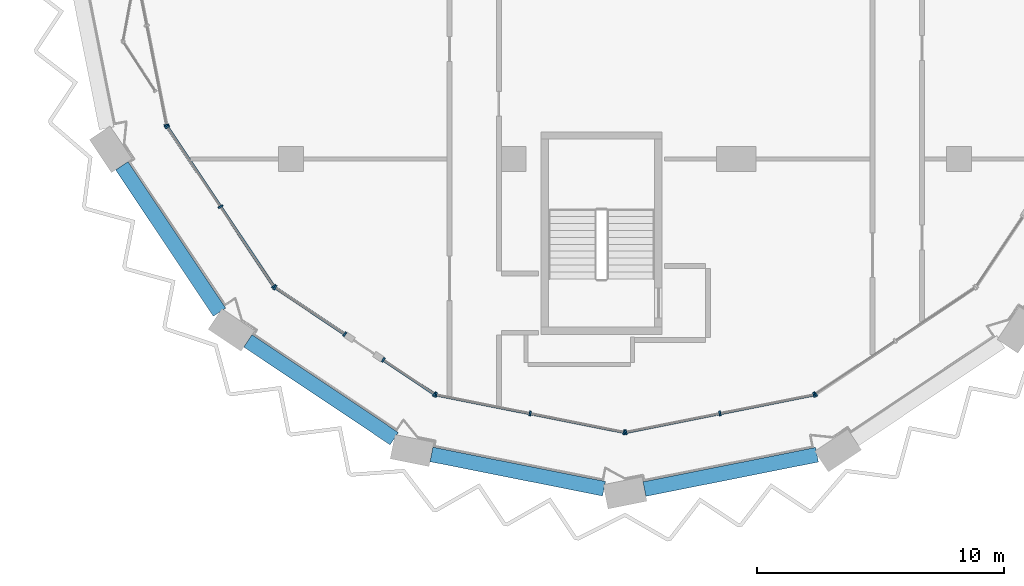
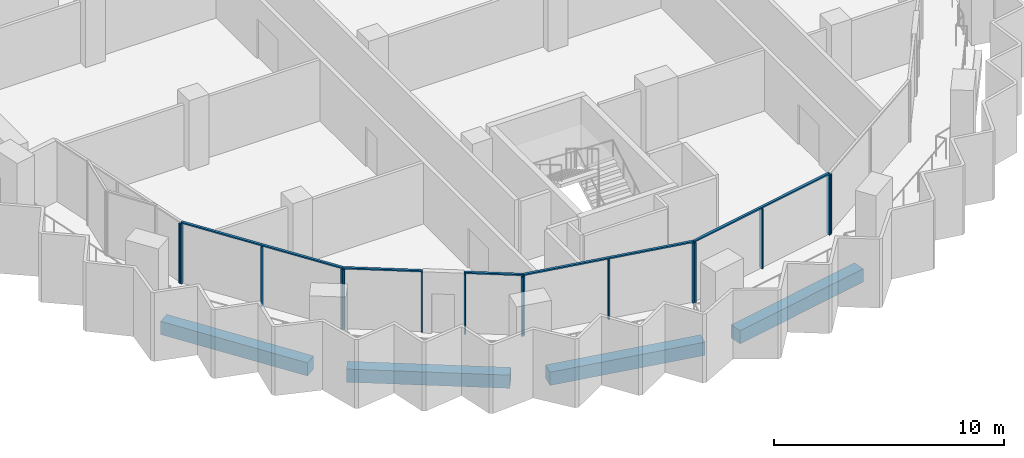
# One storey, part 2 of 17: 20 members, 4 beams, 7 elements without a shape of their own.
"""IFC4 building model written with IfcOpenShell, lengths in metres."""

from ifc_helpers import new_model, si_unit, direction, frame, origin, origin_2d, place, context, subcontext, project, spatial, rectangle, extrude, material, material_profile, profile_set, type_object, element, aggregate, save


model = new_model("IFC4")

# Units and contexts
model_context = context("Model", 3, precision=1e-05, world=origin(), true_north=direction((0.0, 1.0)))
body_context = subcontext(model_context, "Body", "Model", "MODEL_VIEW")
ifc_project = project(units=[si_unit("LENGTHUNIT", "METRE"), si_unit("AREAUNIT", "SQUARE_METRE"), si_unit("VOLUMEUNIT", "CUBIC_METRE"), si_unit("PLANEANGLEUNIT", "RADIAN"), si_unit("MASSUNIT", "GRAM", prefix="KILO")], contexts=[model_context])

# Site, building, storey
site_placement = place(None, origin())
site = spatial("IfcSite", under=ifc_project, at=site_placement, CompositionType="ELEMENT")
building_placement = place(site_placement, origin())
building = spatial("IfcBuilding", under=site, at=building_placement, Name="Hunhe Ridgeline Campus", CompositionType="ELEMENT")
storey_placement = place(building_placement, frame((0.0, 0.0, 272.5)))
storey = spatial("IfcBuildingStorey", under=building, at=storey_placement, Name="L70", CompositionType="ELEMENT", Elevation=272.5)

# Curtain wall, member
ifc_material_1 = material(Name="Aluminium 6063", Category="aluminium")
curtain_wall_type = type_object("IfcCurtainWallType", Name="Curtain wall CW-5", PredefinedType="NOTDEFINED", material=ifc_material_1)
curtain_wall_1_placement = place(storey_placement, origin())
curtain_wall_1 = element("IfcCurtainWall", 1, at=curtain_wall_1_placement, inside=storey, type_object=curtain_wall_type, Name="Curtain wall 01", PredefinedType="NOTDEFINED")
ifc_material_profile_1 = material_profile(ifc_material_1, rectangle(XDim=0.199951171875, YDim=0.070068359375, at=origin_2d()))
ifc_profile_set_1 = profile_set([ifc_material_profile_1], Name="Aluminium 6063")
member_type_1 = type_object("IfcMemberType", Name="CW-5 aluminium mullion", PredefinedType="MULLION", material=ifc_profile_set_1)
member_1_placement = place(storey_placement, frame((3.967529296875, 37.36083984375, 0.0), z_axis=(0.0, 0.0, 1.0), x_axis=(0.980784280831, 0.195095347137, 0.0)))
member_1 = element("IfcMember", 2, at=member_1_placement, type_object=member_type_1, Name="CW-5 mullion 3", PredefinedType="MULLION", context=body_context, shape_type="SweptSolid", body=[
    extrude(rectangle(XDim=0.199951171875, YDim=0.070068359375, at=origin_2d()), origin(), (0.0, 0.0, 1.0), 3.179931640625),
])
aggregate(curtain_wall_1, [member_1])

# Curtain wall, members
curtain_wall_2_placement = place(storey_placement, origin())
curtain_wall_2 = element("IfcCurtainWall", 3, at=curtain_wall_2_placement, inside=storey, type_object=curtain_wall_type, Name="Curtain wall 02", PredefinedType="NOTDEFINED")
member_2_placement = place(storey_placement, frame((3.993896484375, 37.29736328125, 0.0), z_axis=(0.0, 0.0, 1.0), x_axis=(0.831469584522, 0.555570274596, 0.0)))
member_2 = element("IfcMember", 4, at=member_2_placement, type_object=member_type_1, Name="CW-5 mullion 1", PredefinedType="MULLION", context=body_context, shape_type="SweptSolid", body=[
    extrude(rectangle(XDim=0.199951171875, YDim=0.070068359375, at=origin_2d()), origin(), (0.0, 0.0, 1.0), 3.179931640625),
])
member_3_placement = place(storey_placement, frame((6.147705078125, 34.07373046875, 0.0), z_axis=(0.0, 0.0, 1.0), x_axis=(0.831469584522, 0.555570274596, 0.0)))
member_3 = element("IfcMember", 5, at=member_3_placement, type_object=member_type_1, Name="CW-5 mullion 2", PredefinedType="MULLION", context=body_context, shape_type="SweptSolid", body=[
    extrude(rectangle(XDim=0.199951171875, YDim=0.070068359375, at=origin_2d()), origin(), (0.0, 0.0, 1.0), 3.179931640625),
])
member_4_placement = place(storey_placement, frame((8.3017578125, 30.850341796875, 0.0), z_axis=(0.0, 0.0, 1.0), x_axis=(0.831469584522, 0.555570274596, 0.0)))
member_4 = element("IfcMember", 6, at=member_4_placement, type_object=member_type_1, Name="CW-5 mullion 3", PredefinedType="MULLION", context=body_context, shape_type="SweptSolid", body=[
    extrude(rectangle(XDim=0.199951171875, YDim=0.070068359375, at=origin_2d()), origin(), (0.0, 0.0, 1.0), 3.179931640625),
])

curtain_wall_3_placement = place(storey_placement, origin())
curtain_wall_3 = element("IfcCurtainWall", 7, at=curtain_wall_3_placement, inside=storey, type_object=curtain_wall_type, Name="Curtain wall 03", PredefinedType="NOTDEFINED")
member_5_placement = place(storey_placement, frame((8.350341796875, 30.8017578125, 0.0), z_axis=(0.0, 0.0, 1.0), x_axis=(0.555570257501, 0.831469595944, 0.0)))
member_5 = element("IfcMember", 8, at=member_5_placement, type_object=member_type_1, Name="CW-5 mullion 1", PredefinedType="MULLION", context=body_context, shape_type="SweptSolid", body=[
    extrude(rectangle(XDim=0.199951171875, YDim=0.070068359375, at=origin_2d()), origin(), (0.0, 0.0, 1.0), 3.179931640625),
])
member_6_placement = place(storey_placement, frame((11.17041015625, 28.917236328125, 0.0), z_axis=(0.0, 0.0, 1.0), x_axis=(0.555570257501, 0.831469595944, 0.0)))
member_6 = element("IfcMember", 9, at=member_6_placement, type_object=member_type_1, Name="CW-5 mullion 2", PredefinedType="MULLION", context=body_context, shape_type="SweptSolid", body=[
    extrude(rectangle(XDim=0.199951171875, YDim=0.070068359375, at=origin_2d()), origin(), (0.0, 0.0, 1.0), 3.179931640625),
])

curtain_wall_4_placement = place(storey_placement, origin())
curtain_wall_4 = element("IfcCurtainWall", 10, at=curtain_wall_4_placement, inside=storey, type_object=curtain_wall_type, Name="Curtain wall 04", PredefinedType="NOTDEFINED")
member_7_placement = place(storey_placement, frame((12.725341796875, 27.87841796875, 0.0), z_axis=(0.0, 0.0, 1.0), x_axis=(0.555570385598, 0.831469510353, 0.0)))
member_7 = element("IfcMember", 11, at=member_7_placement, type_object=member_type_1, Name="CW-5 mullion 1", PredefinedType="MULLION", context=body_context, shape_type="SweptSolid", body=[
    extrude(rectangle(XDim=0.199951171875, YDim=0.070068359375, at=origin_2d()), origin(), (0.0, 0.0, 1.0), 3.179931640625),
])
member_8_placement = place(storey_placement, frame((14.79736328125, 26.493896484375, 0.0), z_axis=(0.0, 0.0, 1.0), x_axis=(0.555570385598, 0.831469510353, 0.0)))
member_8 = element("IfcMember", 12, at=member_8_placement, type_object=member_type_1, Name="CW-5 mullion 2", PredefinedType="MULLION", context=body_context, shape_type="SweptSolid", body=[
    extrude(rectangle(XDim=0.199951171875, YDim=0.070068359375, at=origin_2d()), origin(), (0.0, 0.0, 1.0), 3.179931640625),
])

curtain_wall_5_placement = place(storey_placement, origin())
curtain_wall_5 = element("IfcCurtainWall", 13, at=curtain_wall_5_placement, inside=storey, type_object=curtain_wall_type, Name="Curtain wall 05", PredefinedType="NOTDEFINED")
member_9_placement = place(storey_placement, frame((14.86083984375, 26.467529296875, 0.0), z_axis=(0.0, 0.0, 1.0), x_axis=(0.195090347539, 0.980785275326, 0.0)))
member_9 = element("IfcMember", 14, at=member_9_placement, type_object=member_type_1, Name="CW-5 mullion 1", PredefinedType="MULLION", context=body_context, shape_type="SweptSolid", body=[
    extrude(rectangle(XDim=0.199951171875, YDim=0.070068359375, at=origin_2d()), origin(), (0.0, 0.0, 1.0), 3.179931640625),
])
member_10_placement = place(storey_placement, frame((18.663330078125, 25.711181640625, 0.0), z_axis=(0.0, 0.0, 1.0), x_axis=(0.195090347539, 0.980785275326, 0.0)))
member_10 = element("IfcMember", 15, at=member_10_placement, type_object=member_type_1, Name="CW-5 mullion 2", PredefinedType="MULLION", context=body_context, shape_type="SweptSolid", body=[
    extrude(rectangle(XDim=0.199951171875, YDim=0.070068359375, at=origin_2d()), origin(), (0.0, 0.0, 1.0), 3.179931640625),
])
member_11_placement = place(storey_placement, frame((22.465576171875, 24.954833984375, 0.0), z_axis=(0.0, 0.0, 1.0), x_axis=(0.195090347539, 0.980785275326, 0.0)))
member_11 = element("IfcMember", 16, at=member_11_placement, type_object=member_type_1, Name="CW-5 mullion 3", PredefinedType="MULLION", context=body_context, shape_type="SweptSolid", body=[
    extrude(rectangle(XDim=0.199951171875, YDim=0.070068359375, at=origin_2d()), origin(), (0.0, 0.0, 1.0), 3.179931640625),
])

curtain_wall_6_placement = place(storey_placement, origin())
curtain_wall_6 = element("IfcCurtainWall", 17, at=curtain_wall_6_placement, inside=storey, type_object=curtain_wall_type, Name="Curtain wall 06", PredefinedType="NOTDEFINED")
member_12_placement = place(storey_placement, frame((22.534423828125, 24.954833984375, 0.0), z_axis=(0.0, 0.0, 1.0), x_axis=(-0.195090347539, 0.980785275326, 0.0)))
member_12 = element("IfcMember", 18, at=member_12_placement, type_object=member_type_1, Name="CW-5 mullion 1", PredefinedType="MULLION", context=body_context, shape_type="SweptSolid", body=[
    extrude(rectangle(XDim=0.199951171875, YDim=0.070068359375, at=origin_2d()), origin(), (0.0, 0.0, 1.0), 3.179931640625),
])
member_13_placement = place(storey_placement, frame((26.336669921875, 25.711181640625, 0.0), z_axis=(0.0, 0.0, 1.0), x_axis=(-0.195090347539, 0.980785275326, 0.0)))
member_13 = element("IfcMember", 19, at=member_13_placement, type_object=member_type_1, Name="CW-5 mullion 2", PredefinedType="MULLION", context=body_context, shape_type="SweptSolid", body=[
    extrude(rectangle(XDim=0.199951171875, YDim=0.070068359375, at=origin_2d()), origin(), (0.0, 0.0, 1.0), 3.179931640625),
])
member_14_placement = place(storey_placement, frame((30.13916015625, 26.467529296875, 0.0), z_axis=(0.0, 0.0, 1.0), x_axis=(-0.195090347539, 0.980785275326, 0.0)))
member_14 = element("IfcMember", 20, at=member_14_placement, type_object=member_type_1, Name="CW-5 mullion 3", PredefinedType="MULLION", context=body_context, shape_type="SweptSolid", body=[
    extrude(rectangle(XDim=0.199951171875, YDim=0.070068359375, at=origin_2d()), origin(), (0.0, 0.0, 1.0), 3.179931640625),
])

# Curtain wall, member
curtain_wall_7_placement = place(storey_placement, origin())
curtain_wall_7 = element("IfcCurtainWall", 21, at=curtain_wall_7_placement, inside=storey, type_object=curtain_wall_type, Name="Curtain wall 07", PredefinedType="NOTDEFINED")
member_15_placement = place(storey_placement, frame((30.20263671875, 26.493896484375, 0.0), z_axis=(0.0, 0.0, 1.0), x_axis=(-0.555570274596, 0.831469584522, 0.0)))
member_15 = element("IfcMember", 22, at=member_15_placement, type_object=member_type_1, Name="CW-5 mullion 1", PredefinedType="MULLION", context=body_context, shape_type="SweptSolid", body=[
    extrude(rectangle(XDim=0.199951171875, YDim=0.070068359375, at=origin_2d()), origin(), (0.0, 0.0, 1.0), 3.179931640625),
])
aggregate(curtain_wall_7, [member_15])

# Member
ifc_material_profile_2 = material_profile(ifc_material_1, rectangle(XDim=0.1201171875, YDim=0.070068359375, at=origin_2d()))
ifc_profile_set_2 = profile_set([ifc_material_profile_2], Name="Aluminium 6063")
member_type_2 = type_object("IfcMemberType", Name="CW-5 aluminium transom", PredefinedType="USERDEFINED", material=ifc_profile_set_2)
member_16_placement = place(storey_placement, frame((3.974365234375, 37.326416015625, 3.215087890625), z_axis=(0.5555640203, -0.831473763475, 0.0), x_axis=(0.831473763475, 0.5555640203, 0.0)))
member_16 = element("IfcMember", 23, at=member_16_placement, type_object=member_type_2, Name="CW-5 transom 1", ObjectType="TRANSOM", PredefinedType="USERDEFINED", context=body_context, shape_type="SweptSolid", body=[
    extrude(rectangle(XDim=0.1201171875, YDim=0.070068359375, at=origin_2d()), origin(), (0.0, 0.0, 1.0), 7.823974609375),
])

aggregate(curtain_wall_2, [member_16, member_2, member_3, member_4])

member_17_placement = place(storey_placement, frame((8.321044921875, 30.821044921875, 3.215087890625), z_axis=(0.831485714606, -0.555546133463, 0.0), x_axis=(0.555546133463, 0.831485714606, 0.0)))
member_17 = element("IfcMember", 24, at=member_17_placement, type_object=member_type_2, Name="CW-5 transom 1", ObjectType="TRANSOM", PredefinedType="USERDEFINED", context=body_context, shape_type="SweptSolid", body=[
    extrude(rectangle(XDim=0.1201171875, YDim=0.070068359375, at=origin_2d()), origin(), (0.0, 0.0, 1.0), 3.462158203125),
])

aggregate(curtain_wall_3, [member_17, member_5, member_6])

member_18_placement = place(storey_placement, frame((12.6962890625, 27.897705078125, 3.215087890625), z_axis=(0.831463388334, -0.555579547735, 0.0), x_axis=(0.555579547735, 0.831463388334, 0.0)))
member_18 = element("IfcMember", 25, at=member_18_placement, type_object=member_type_2, Name="CW-5 transom 1", ObjectType="TRANSOM", PredefinedType="USERDEFINED", context=body_context, shape_type="SweptSolid", body=[
    extrude(rectangle(XDim=0.1201171875, YDim=0.070068359375, at=origin_2d()), origin(), (0.0, 0.0, 1.0), 2.56201171875),
])

aggregate(curtain_wall_4, [member_18, member_7, member_8])

member_19_placement = place(storey_placement, frame((14.826416015625, 26.474365234375, 3.215087890625), z_axis=(0.980785367689, -0.195089883198, 0.0), x_axis=(0.195089883198, 0.980785367689, 0.0)))
member_19 = element("IfcMember", 26, at=member_19_placement, type_object=member_type_2, Name="CW-5 transom 1", ObjectType="TRANSOM", PredefinedType="USERDEFINED", context=body_context, shape_type="SweptSolid", body=[
    extrude(rectangle(XDim=0.1201171875, YDim=0.070068359375, at=origin_2d()), origin(), (0.0, 0.0, 1.0), 7.823974609375),
])

aggregate(curtain_wall_5, [member_19, member_9, member_10, member_11])

member_20_placement = place(storey_placement, frame((22.5, 24.947998046875, 3.215087890625), z_axis=(0.980785367689, 0.195089883198, 0.0), x_axis=(-0.195089883198, 0.980785367689, 0.0)))
member_20 = element("IfcMember", 27, at=member_20_placement, type_object=member_type_2, Name="CW-5 transom 1", ObjectType="TRANSOM", PredefinedType="USERDEFINED", context=body_context, shape_type="SweptSolid", body=[
    extrude(rectangle(XDim=0.1201171875, YDim=0.070068359375, at=origin_2d()), origin(), (0.0, 0.0, 1.0), 7.823974609375),
])

aggregate(curtain_wall_6, [member_20, member_12, member_13, member_14])

# Beams
ifc_material_2 = material(Name="Concrete C50", Category="concrete")
ifc_material_profile_3 = material_profile(ifc_material_2, rectangle(XDim=0.60009765625, YDim=0.699951171875, at=origin_2d()))
ifc_profile_set_3 = profile_set([ifc_material_profile_3], Name="Concrete C50")
beam_type = type_object("IfcBeamType", Name="RC spandrel beam 600x700 Concrete C50", PredefinedType="SPANDREL", material=ifc_profile_set_3)
for number, where, z_axis, x_axis, name in (
    (28, (2.1572265625, 35.724365234375, -0.60009765625), (0.55557907181, -0.831463706344, 0.0), (0.831463706344, 0.55557907181, 0.0), "Spandrel beam B4-2 L70"),
    (29, (7.25537109375, 28.645751953125, -0.60009765625), (0.831463706344, -0.55557907181, 0.0), (0.55557907181, 0.831463706344, 0.0), "Spandrel beam B4-3 L70"),
    (30, (14.67431640625, 24.056640625, -0.60009765625), (0.9807847609, -0.195092933717, 0.0), (0.195092933717, 0.9807847609, 0.0), "Spandrel beam B4-4 L70"),
    (31, (23.28466796875, 22.656005859375, -0.60009765625), (0.9807847609, 0.195092933717, 0.0), (-0.195092933717, 0.9807847609, 0.0), "Spandrel beam B4-5 L70"),
):
    element("IfcBeam", number, at=place(storey_placement, frame(where, z_axis=z_axis, x_axis=x_axis)), inside=storey, type_object=beam_type, Name=name, PredefinedType="SPANDREL", context=body_context, shape_type="SweptSolid", body=[
        extrude(rectangle(XDim=0.60009765625, YDim=0.699951171875, at=origin_2d()), origin(), (0.0, 0.0, 1.0), 7.113037109375),
    ])

save(model, "model.ifc")
